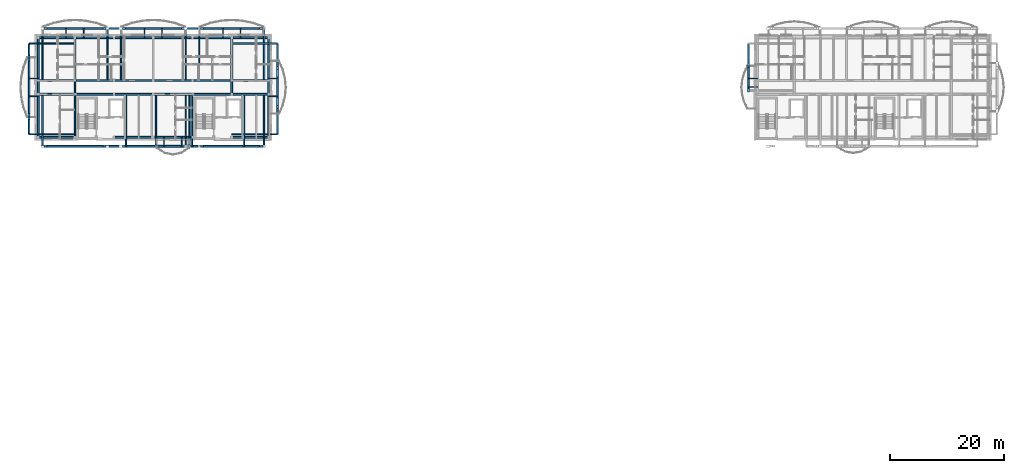
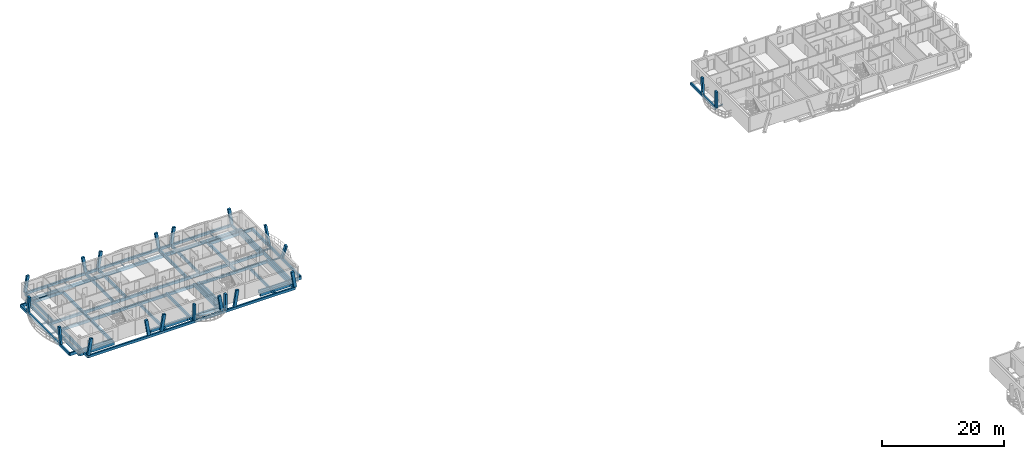
# One storey, part 5 of 41: 70 beams, 20 members.
"""IFC4 building model written with IfcOpenShell, lengths in metres."""

from ifc_helpers import new_model, si_unit, direction, frame, origin, origin_2d, place, context, subcontext, project, spatial, rectangle, i_section, extrude, material, material_profile, profile_set, type_object, element, save


model = new_model("IFC4")

# Units and contexts
model_context = context("Model", 3, precision=1e-05, world=origin(), true_north=direction((0.0, 1.0)))
body_context = subcontext(model_context, "Body", "Model", "MODEL_VIEW")
ifc_project = project(units=[si_unit("LENGTHUNIT", "METRE"), si_unit("AREAUNIT", "SQUARE_METRE"), si_unit("VOLUMEUNIT", "CUBIC_METRE"), si_unit("PLANEANGLEUNIT", "RADIAN"), si_unit("MASSUNIT", "GRAM", prefix="KILO")], contexts=[model_context])

# Site, building, storey
site_placement = place(None, origin())
site = spatial("IfcSite", under=ifc_project, at=site_placement, CompositionType="ELEMENT")
building_placement = place(site_placement, origin())
building = spatial("IfcBuilding", under=site, at=building_placement, Name="Zavelmont Quarter", CompositionType="ELEMENT")
storey_placement = place(building_placement, frame((0.0, 0.0, 27.199951171875)))
storey = spatial("IfcBuildingStorey", under=building, at=storey_placement, Name="L08", CompositionType="ELEMENT", Elevation=27.199951171875)

# Beams
ifc_material_1 = material(Name="Concrete C35/45", Category="concrete")
ifc_material_profile_1 = material_profile(ifc_material_1, rectangle(XDim=0.35009765625, YDim=0.60009765625, at=origin_2d()), Name="RC350X600")
ifc_profile_set_1 = profile_set([ifc_material_profile_1], Name="Concrete C35/45")
beam_type_1 = type_object("IfcBeamType", Name="BM01", PredefinedType="SPANDREL", material=ifc_profile_set_1)
beam_1_placement = place(storey_placement, frame((0.43994140625, 98.0400390625, -0.550048828125), z_axis=(1.0, 0.0, 0.0), x_axis=(0.0, 1.0, 0.0)))
element("IfcBeam", 1, at=beam_1_placement, inside=storey, type_object=beam_type_1, Name="L08 beam BM01 1/P to 2/P", PredefinedType="SPANDREL", context=body_context, shape_type="SweptSolid", body=[
    extrude(rectangle(XDim=0.35009765625, YDim=0.60009765625, at=origin_2d()), origin(), (0.0, 0.0, 1.0), 6.4599609375),
])
beam_2_placement = place(storey_placement, frame((13.800048828125, 98.0400390625, -0.550048828125), z_axis=(1.0, 0.0, 0.0), x_axis=(0.0, 1.0, 0.0)))
element("IfcBeam", 2, at=beam_2_placement, inside=storey, type_object=beam_type_1, Name="L08 beam BM01 3/P to 4/P", PredefinedType="SPANDREL", context=body_context, shape_type="SweptSolid", body=[
    extrude(rectangle(XDim=0.35009765625, YDim=0.60009765625, at=origin_2d()), origin(), (0.0, 0.0, 1.0), 6.89990234375),
])
beam_3_placement = place(storey_placement, frame((20.699951171875, 98.0400390625, -0.550048828125), z_axis=(1.0, 0.0, 0.0), x_axis=(0.0, 1.0, 0.0)))
element("IfcBeam", 3, at=beam_3_placement, inside=storey, type_object=beam_type_1, Name="L08 beam BM01 4/P to 5/P", PredefinedType="SPANDREL", context=body_context, shape_type="SweptSolid", body=[
    extrude(rectangle(XDim=0.35009765625, YDim=0.60009765625, at=origin_2d()), origin(), (0.0, 0.0, 1.0), 6.900146484375),
])
for number, where, z_axis, x_axis, name in (
    (4, (34.5, 98.0400390625, -0.550048828125), (1.0, 0.0, 0.0), (0.0, 1.0, 0.0), "L08 beam BM01 6/P to 7/P"),
    (5, (0.43994140625, 115.56005859375, -0.550048828125), (1.0, 0.0, 0.0), (0.0, 1.0, 0.0), "L08 beam BM01 1/S to 2/S"),
):
    element("IfcBeam", number, at=place(storey_placement, frame(where, z_axis=z_axis, x_axis=x_axis)), inside=storey, type_object=beam_type_1, Name=name, PredefinedType="SPANDREL", context=body_context, shape_type="SweptSolid", body=[
        extrude(rectangle(XDim=0.35009765625, YDim=0.60009765625, at=origin_2d()), origin(), (0.0, 0.0, 1.0), 6.4599609375),
    ])
beam_4_placement = place(storey_placement, frame((6.89990234375, 115.56005859375, -0.550048828125), z_axis=(1.0, 0.0, 0.0), x_axis=(0.0, 1.0, 0.0)))
element("IfcBeam", 6, at=beam_4_placement, inside=storey, type_object=beam_type_1, Name="L08 beam BM01 2/S to 3/S", PredefinedType="SPANDREL", context=body_context, shape_type="SweptSolid", body=[
    extrude(rectangle(XDim=0.35009765625, YDim=0.60009765625, at=origin_2d()), origin(), (0.0, 0.0, 1.0), 6.900146484375),
])
beam_5_placement = place(storey_placement, frame((13.800048828125, 115.56005859375, -0.550048828125), z_axis=(1.0, 0.0, 0.0), x_axis=(0.0, 1.0, 0.0)))
element("IfcBeam", 7, at=beam_5_placement, inside=storey, type_object=beam_type_1, Name="L08 beam BM01 3/S to 4/S", PredefinedType="SPANDREL", context=body_context, shape_type="SweptSolid", body=[
    extrude(rectangle(XDim=0.35009765625, YDim=0.60009765625, at=origin_2d()), origin(), (0.0, 0.0, 1.0), 6.89990234375),
])
beam_6_placement = place(storey_placement, frame((20.699951171875, 115.56005859375, -0.550048828125), z_axis=(1.0, 0.0, 0.0), x_axis=(0.0, 1.0, 0.0)))
element("IfcBeam", 8, at=beam_6_placement, inside=storey, type_object=beam_type_1, Name="L08 beam BM01 4/S to 5/S", PredefinedType="SPANDREL", context=body_context, shape_type="SweptSolid", body=[
    extrude(rectangle(XDim=0.35009765625, YDim=0.60009765625, at=origin_2d()), origin(), (0.0, 0.0, 1.0), 6.900146484375),
])
beam_7_placement = place(storey_placement, frame((27.60009765625, 115.56005859375, -0.550048828125), z_axis=(1.0, 0.0, 0.0), x_axis=(0.0, 1.0, 0.0)))
element("IfcBeam", 9, at=beam_7_placement, inside=storey, type_object=beam_type_1, Name="L08 beam BM01 5/S to 6/S", PredefinedType="SPANDREL", context=body_context, shape_type="SweptSolid", body=[
    extrude(rectangle(XDim=0.35009765625, YDim=0.60009765625, at=origin_2d()), origin(), (0.0, 0.0, 1.0), 6.89990234375),
])
beam_8_placement = place(storey_placement, frame((34.5, 115.56005859375, -0.550048828125), z_axis=(1.0, 0.0, 0.0), x_axis=(0.0, 1.0, 0.0)))
element("IfcBeam", 10, at=beam_8_placement, inside=storey, type_object=beam_type_1, Name="L08 beam BM01 6/S to 7/S", PredefinedType="SPANDREL", context=body_context, shape_type="SweptSolid", body=[
    extrude(rectangle(XDim=0.35009765625, YDim=0.60009765625, at=origin_2d()), origin(), (0.0, 0.0, 1.0), 6.4599609375),
])
ifc_material_profile_2 = material_profile(ifc_material_1, rectangle(XDim=0.300048828125, YDim=0.550048828125, at=origin_2d()), Name="RC300X550")
ifc_profile_set_2 = profile_set([ifc_material_profile_2], Name="Concrete C35/45")
beam_type_2 = type_object("IfcBeamType", Name="BM02", PredefinedType="SPANDREL", material=ifc_profile_set_2)
beam_9_placement = place(storey_placement, frame((0.43994140625, 105.60009765625, -0.52490234375), z_axis=(1.0, 0.0, 0.0), x_axis=(0.0, 1.0, 0.0)))
element("IfcBeam", 11, at=beam_9_placement, inside=storey, type_object=beam_type_2, Name="L08 beam BM02 1/Q to 2/Q", PredefinedType="SPANDREL", context=body_context, shape_type="SweptSolid", body=[
    extrude(rectangle(XDim=0.300048828125, YDim=0.550048828125, at=origin_2d()), origin(), (0.0, 0.0, 1.0), 6.4599609375),
])
beam_10_placement = place(storey_placement, frame((6.89990234375, 105.60009765625, -0.52490234375), z_axis=(1.0, 0.0, 0.0), x_axis=(0.0, 1.0, 0.0)))
element("IfcBeam", 12, at=beam_10_placement, inside=storey, type_object=beam_type_2, Name="L08 beam BM02 2/Q to 3/Q", PredefinedType="SPANDREL", context=body_context, shape_type="SweptSolid", body=[
    extrude(rectangle(XDim=0.300048828125, YDim=0.550048828125, at=origin_2d()), origin(), (0.0, 0.0, 1.0), 6.900146484375),
])
beam_11_placement = place(storey_placement, frame((13.800048828125, 105.60009765625, -0.52490234375), z_axis=(1.0, 0.0, 0.0), x_axis=(0.0, 1.0, 0.0)))
element("IfcBeam", 13, at=beam_11_placement, inside=storey, type_object=beam_type_2, Name="L08 beam BM02 3/Q to 4/Q", PredefinedType="SPANDREL", context=body_context, shape_type="SweptSolid", body=[
    extrude(rectangle(XDim=0.300048828125, YDim=0.550048828125, at=origin_2d()), origin(), (0.0, 0.0, 1.0), 6.89990234375),
])
beam_12_placement = place(storey_placement, frame((20.699951171875, 105.60009765625, -0.52490234375), z_axis=(1.0, 0.0, 0.0), x_axis=(0.0, 1.0, 0.0)))
element("IfcBeam", 14, at=beam_12_placement, inside=storey, type_object=beam_type_2, Name="L08 beam BM02 4/Q to 5/Q", PredefinedType="SPANDREL", context=body_context, shape_type="SweptSolid", body=[
    extrude(rectangle(XDim=0.300048828125, YDim=0.550048828125, at=origin_2d()), origin(), (0.0, 0.0, 1.0), 6.900146484375),
])
beam_13_placement = place(storey_placement, frame((27.60009765625, 105.60009765625, -0.52490234375), z_axis=(1.0, 0.0, 0.0), x_axis=(0.0, 1.0, 0.0)))
element("IfcBeam", 15, at=beam_13_placement, inside=storey, type_object=beam_type_2, Name="L08 beam BM02 5/Q to 6/Q", PredefinedType="SPANDREL", context=body_context, shape_type="SweptSolid", body=[
    extrude(rectangle(XDim=0.300048828125, YDim=0.550048828125, at=origin_2d()), origin(), (0.0, 0.0, 1.0), 6.89990234375),
])
for number, where, z_axis, x_axis, name in (
    (16, (34.5, 105.60009765625, -0.52490234375), (1.0, 0.0, 0.0), (0.0, 1.0, 0.0), "L08 beam BM02 6/Q to 7/Q"),
    (17, (0.43994140625, 108.0, -0.52490234375), (1.0, 0.0, 0.0), (0.0, 1.0, 0.0), "L08 beam BM02 1/R to 2/R"),
):
    element("IfcBeam", number, at=place(storey_placement, frame(where, z_axis=z_axis, x_axis=x_axis)), inside=storey, type_object=beam_type_2, Name=name, PredefinedType="SPANDREL", context=body_context, shape_type="SweptSolid", body=[
        extrude(rectangle(XDim=0.300048828125, YDim=0.550048828125, at=origin_2d()), origin(), (0.0, 0.0, 1.0), 6.4599609375),
    ])
beam_14_placement = place(storey_placement, frame((6.89990234375, 108.0, -0.52490234375), z_axis=(1.0, 0.0, 0.0), x_axis=(0.0, 1.0, 0.0)))
element("IfcBeam", 18, at=beam_14_placement, inside=storey, type_object=beam_type_2, Name="L08 beam BM02 2/R to 3/R", PredefinedType="SPANDREL", context=body_context, shape_type="SweptSolid", body=[
    extrude(rectangle(XDim=0.300048828125, YDim=0.550048828125, at=origin_2d()), origin(), (0.0, 0.0, 1.0), 6.900146484375),
])
beam_15_placement = place(storey_placement, frame((13.800048828125, 108.0, -0.52490234375), z_axis=(1.0, 0.0, 0.0), x_axis=(0.0, 1.0, 0.0)))
element("IfcBeam", 19, at=beam_15_placement, inside=storey, type_object=beam_type_2, Name="L08 beam BM02 3/R to 4/R", PredefinedType="SPANDREL", context=body_context, shape_type="SweptSolid", body=[
    extrude(rectangle(XDim=0.300048828125, YDim=0.550048828125, at=origin_2d()), origin(), (0.0, 0.0, 1.0), 6.89990234375),
])
beam_16_placement = place(storey_placement, frame((20.699951171875, 108.0, -0.52490234375), z_axis=(1.0, 0.0, 0.0), x_axis=(0.0, 1.0, 0.0)))
element("IfcBeam", 20, at=beam_16_placement, inside=storey, type_object=beam_type_2, Name="L08 beam BM02 4/R to 5/R", PredefinedType="SPANDREL", context=body_context, shape_type="SweptSolid", body=[
    extrude(rectangle(XDim=0.300048828125, YDim=0.550048828125, at=origin_2d()), origin(), (0.0, 0.0, 1.0), 6.900146484375),
])
beam_17_placement = place(storey_placement, frame((27.60009765625, 108.0, -0.52490234375), z_axis=(1.0, 0.0, 0.0), x_axis=(0.0, 1.0, 0.0)))
element("IfcBeam", 21, at=beam_17_placement, inside=storey, type_object=beam_type_2, Name="L08 beam BM02 5/R to 6/R", PredefinedType="SPANDREL", context=body_context, shape_type="SweptSolid", body=[
    extrude(rectangle(XDim=0.300048828125, YDim=0.550048828125, at=origin_2d()), origin(), (0.0, 0.0, 1.0), 6.89990234375),
])
beam_18_placement = place(storey_placement, frame((34.5, 108.0, -0.52490234375), z_axis=(1.0, 0.0, 0.0), x_axis=(0.0, 1.0, 0.0)))
element("IfcBeam", 22, at=beam_18_placement, inside=storey, type_object=beam_type_2, Name="L08 beam BM02 6/R to 7/R", PredefinedType="SPANDREL", context=body_context, shape_type="SweptSolid", body=[
    extrude(rectangle(XDim=0.300048828125, YDim=0.550048828125, at=origin_2d()), origin(), (0.0, 0.0, 1.0), 6.4599609375),
])
beam_19_placement = place(storey_placement, frame((0.43994140625, 98.0400390625, -0.52490234375), z_axis=(0.0, 1.0, 0.0), x_axis=(-1.0, 0.0, 0.0)))
element("IfcBeam", 23, at=beam_19_placement, inside=storey, type_object=beam_type_2, Name="L08 beam BM02 1/P to 1/Q", PredefinedType="SPANDREL", context=body_context, shape_type="SweptSolid", body=[
    extrude(rectangle(XDim=0.300048828125, YDim=0.550048828125, at=origin_2d()), origin(), (0.0, 0.0, 1.0), 7.56005859375),
])
beam_20_placement = place(storey_placement, frame((0.43994140625, 105.60009765625, -0.52490234375), z_axis=(0.0, 1.0, 0.0), x_axis=(-1.0, 0.0, 0.0)))
element("IfcBeam", 24, at=beam_20_placement, inside=storey, type_object=beam_type_2, Name="L08 beam BM02 1/Q to 1/R", PredefinedType="SPANDREL", context=body_context, shape_type="SweptSolid", body=[
    extrude(rectangle(XDim=0.300048828125, YDim=0.550048828125, at=origin_2d()), origin(), (0.0, 0.0, 1.0), 2.39990234375),
])
for number, where, z_axis, x_axis, name in (
    (25, (0.43994140625, 108.0, -0.52490234375), (0.0, 1.0, 0.0), (-1.0, 0.0, 0.0), "L08 beam BM02 1/R to 1/S"),
    (26, (6.89990234375, 98.0400390625, -0.52490234375), (0.0, 1.0, 0.0), (-1.0, 0.0, 0.0), "L08 beam BM02 2/P to 2/Q"),
):
    element("IfcBeam", number, at=place(storey_placement, frame(where, z_axis=z_axis, x_axis=x_axis)), inside=storey, type_object=beam_type_2, Name=name, PredefinedType="SPANDREL", context=body_context, shape_type="SweptSolid", body=[
        extrude(rectangle(XDim=0.300048828125, YDim=0.550048828125, at=origin_2d()), origin(), (0.0, 0.0, 1.0), 7.56005859375),
    ])
beam_21_placement = place(storey_placement, frame((6.89990234375, 105.60009765625, -0.52490234375), z_axis=(0.0, 1.0, 0.0), x_axis=(-1.0, 0.0, 0.0)))
element("IfcBeam", 27, at=beam_21_placement, inside=storey, type_object=beam_type_2, Name="L08 beam BM02 2/Q to 2/R", PredefinedType="SPANDREL", context=body_context, shape_type="SweptSolid", body=[
    extrude(rectangle(XDim=0.300048828125, YDim=0.550048828125, at=origin_2d()), origin(), (0.0, 0.0, 1.0), 2.39990234375),
])
beam_22_placement = place(storey_placement, frame((6.89990234375, 108.0, -0.52490234375), z_axis=(0.0, 1.0, 0.0), x_axis=(-1.0, 0.0, 0.0)))
element("IfcBeam", 28, at=beam_22_placement, inside=storey, type_object=beam_type_2, Name="L08 beam BM02 2/R to 2/S", PredefinedType="SPANDREL", context=body_context, shape_type="SweptSolid", body=[
    extrude(rectangle(XDim=0.300048828125, YDim=0.550048828125, at=origin_2d()), origin(), (0.0, 0.0, 1.0), 7.56005859375),
])
beam_23_placement = place(storey_placement, frame((34.5, 105.60009765625, -0.52490234375), z_axis=(0.0, 1.0, 0.0), x_axis=(-1.0, 0.0, 0.0)))
element("IfcBeam", 29, at=beam_23_placement, inside=storey, type_object=beam_type_2, Name="L08 beam BM02 6/Q to 6/R", PredefinedType="SPANDREL", context=body_context, shape_type="SweptSolid", body=[
    extrude(rectangle(XDim=0.300048828125, YDim=0.550048828125, at=origin_2d()), origin(), (0.0, 0.0, 1.0), 2.39990234375),
])
for number, where, z_axis, x_axis, name in (
    (30, (34.5, 108.0, -0.52490234375), (0.0, 1.0, 0.0), (-1.0, 0.0, 0.0), "L08 beam BM02 6/R to 6/S"),
    (31, (40.9599609375, 98.0400390625, -0.52490234375), (0.0, 1.0, 0.0), (-1.0, 0.0, 0.0), "L08 beam BM02 7/P to 7/Q"),
):
    element("IfcBeam", number, at=place(storey_placement, frame(where, z_axis=z_axis, x_axis=x_axis)), inside=storey, type_object=beam_type_2, Name=name, PredefinedType="SPANDREL", context=body_context, shape_type="SweptSolid", body=[
        extrude(rectangle(XDim=0.300048828125, YDim=0.550048828125, at=origin_2d()), origin(), (0.0, 0.0, 1.0), 7.56005859375),
    ])
beam_24_placement = place(storey_placement, frame((40.9599609375, 105.60009765625, -0.52490234375), z_axis=(0.0, 1.0, 0.0), x_axis=(-1.0, 0.0, 0.0)))
element("IfcBeam", 32, at=beam_24_placement, inside=storey, type_object=beam_type_2, Name="L08 beam BM02 7/Q to 7/R", PredefinedType="SPANDREL", context=body_context, shape_type="SweptSolid", body=[
    extrude(rectangle(XDim=0.300048828125, YDim=0.550048828125, at=origin_2d()), origin(), (0.0, 0.0, 1.0), 2.39990234375),
])
beam_25_placement = place(storey_placement, frame((40.9599609375, 108.0, -0.52490234375), z_axis=(0.0, 1.0, 0.0), x_axis=(-1.0, 0.0, 0.0)))
element("IfcBeam", 33, at=beam_25_placement, inside=storey, type_object=beam_type_2, Name="L08 beam BM02 7/R to 7/S", PredefinedType="SPANDREL", context=body_context, shape_type="SweptSolid", body=[
    extrude(rectangle(XDim=0.300048828125, YDim=0.550048828125, at=origin_2d()), origin(), (0.0, 0.0, 1.0), 7.56005859375),
])
ifc_material_profile_3 = material_profile(ifc_material_1, rectangle(XDim=0.300048828125, YDim=0.5, at=origin_2d()), Name="RC300X500")
ifc_profile_set_3 = profile_set([ifc_material_profile_3], Name="Concrete C35/45")
beam_type_3 = type_object("IfcBeamType", Name="BM03", PredefinedType="BEAM", material=ifc_profile_set_3)
for number, where, z_axis, x_axis, name in (
    (34, (1.18994140625, 117.14990234375, -0.25), (1.0, 0.0, 0.0), (0.0, 1.0, 0.0), "L08 beam BM03 1/S to 7/S"),
    (35, (1.18994140625, 96.449951171875, -0.25), (1.0, 0.0, 0.0), (0.0, 1.0, 0.0), "L08 beam BM03 1/P to 7/P"),
):
    element("IfcBeam", number, at=place(storey_placement, frame(where, z_axis=z_axis, x_axis=x_axis)), inside=storey, type_object=beam_type_3, Name=name, PredefinedType="BEAM", context=body_context, shape_type="SweptSolid", body=[
        extrude(rectangle(XDim=0.300048828125, YDim=0.5, at=origin_2d()), origin(), (0.0, 0.0, 1.0), 39.02001953125),
    ])
for number, where, z_axis, x_axis, name in (
    (36, (-1.14990234375, 98.550048828125, -0.25), (0.0, 1.0, 0.0), (-1.0, 0.0, 0.0), "L08 beam BM03 1/P to 1/S"),
    (37, (42.550048828125, 98.550048828125, -0.25), (0.0, 1.0, 0.0), (-1.0, 0.0, 0.0), "L08 beam BM03 7/P to 7/S"),
):
    element("IfcBeam", number, at=place(storey_placement, frame(where, z_axis=z_axis, x_axis=x_axis)), inside=storey, type_object=beam_type_3, Name=name, PredefinedType="BEAM", context=body_context, shape_type="SweptSolid", body=[
        extrude(rectangle(XDim=0.300048828125, YDim=0.5, at=origin_2d()), origin(), (0.0, 0.0, 1.0), 15.949951171875),
    ])
beam_26_placement = place(storey_placement, frame((125.449951171875, 106.25, -0.25), z_axis=(0.0, 1.0, 0.0), x_axis=(-1.0, 0.0, 0.0)))
element("IfcBeam", 38, at=beam_26_placement, inside=storey, type_object=beam_type_3, Name="L08 beam BM03 19/Q to 19/S", PredefinedType="BEAM", context=body_context, shape_type="SweptSolid", body=[
    extrude(rectangle(XDim=0.300048828125, YDim=0.5, at=origin_2d()), origin(), (0.0, 0.0, 1.0), 8.25),
])
ifc_material_2 = material(Name="Steel S355", Category="steel")
ifc_material_profile_4 = material_profile(ifc_material_2, i_section(OverallWidth=0.110107421875, OverallDepth=0.219970703125, WebThickness=0.005859375, FlangeThickness=0.00927734375, at=origin_2d()), Name="IPE 220")
ifc_profile_set_4 = profile_set([ifc_material_profile_4], Name="Steel S355")
beam_type_4 = type_object("IfcBeamType", Name="BM15", PredefinedType="JOIST", material=ifc_profile_set_4)
for number, where, z_axis, x_axis, name in (
    (39, (5.35009765625, 115.56005859375, -0.366943359375), (0.0, 1.0, 0.0), (-1.0, 0.0, 0.0), "L08 beam BM15 2/S to 2/S"),
    (40, (8.449951171875, 115.56005859375, -0.366943359375), (0.0, 1.0, 0.0), (-1.0, 0.0, 0.0), "L08 beam BM15 2/S to 2/S"),
    (41, (19.14990234375, 115.56005859375, -0.362060546875), (0.0, 1.0, 0.0), (-1.0, 0.0, 0.0), "L08 beam BM15 4/S to 4/S"),
    (42, (22.25, 115.56005859375, -0.362060546875), (0.0, 1.0, 0.0), (-1.0, 0.0, 0.0), "L08 beam BM15 4/S to 4/S"),
    (43, (32.949951171875, 115.56005859375, -0.362060546875), (0.0, 1.0, 0.0), (-1.0, 0.0, 0.0), "L08 beam BM15 6/S to 6/S"),
    (44, (36.050048828125, 115.56005859375, -0.362060546875), (0.0, 1.0, 0.0), (-1.0, 0.0, 0.0), "L08 beam BM15 6/S to 6/S"),
    (45, (0.43994140625, 105.25, -0.362060546875), (-1.0, 0.0, 0.0), (0.0, -1.0, 0.0), "L08 beam BM15 1/Q to 1/Q"),
    (46, (0.43994140625, 108.35009765625, -0.362060546875), (-1.0, 0.0, 0.0), (0.0, -1.0, 0.0), "L08 beam BM15 1/R to 1/R"),
):
    element("IfcBeam", number, at=place(storey_placement, frame(where, z_axis=z_axis, x_axis=x_axis)), inside=storey, type_object=beam_type_4, Name=name, PredefinedType="JOIST", context=body_context, shape_type="SweptSolid", body=[
        extrude(i_section(OverallWidth=0.110107421875, OverallDepth=0.219970703125, WebThickness=0.005859375, FlangeThickness=0.00927734375, at=origin_2d()), origin(), (0.0, 0.0, 1.0), 1.58984375),
    ])
for number, where, z_axis, x_axis, name in (
    (47, (40.9599609375, 105.25, -0.362060546875), (1.0, 0.0, 0.0), (0.0, 1.0, 0.0), "L08 beam BM15 7/Q to 7/Q"),
    (48, (40.9599609375, 108.35009765625, -0.362060546875), (1.0, 0.0, 0.0), (0.0, 1.0, 0.0), "L08 beam BM15 7/R to 7/R"),
    (49, (22.60009765625, 98.0400390625, -0.366943359375), (0.0, -1.0, 0.0), (1.0, 0.0, 0.0), "L08 beam BM15 4/P to 4/P"),
    (50, (25.699951171875, 98.0400390625, -0.366943359375), (0.0, -1.0, 0.0), (1.0, 0.0, 0.0), "L08 beam BM15 5/P to 5/P"),
    (51, (127.0400390625, 106.89990234375, -0.362060546875), (-1.0, 0.0, 0.0), (0.0, -1.0, 0.0), "L08 beam BM15 19/R to 19/R"),
    (52, (127.0400390625, 108.35009765625, -0.362060546875), (-1.0, 0.0, 0.0), (0.0, -1.0, 0.0), "L08 beam BM15 19/R to 19/R"),
):
    element("IfcBeam", number, at=place(storey_placement, frame(where, z_axis=z_axis, x_axis=x_axis)), inside=storey, type_object=beam_type_4, Name=name, PredefinedType="JOIST", context=body_context, shape_type="SweptSolid", body=[
        extrude(i_section(OverallWidth=0.110107421875, OverallDepth=0.219970703125, WebThickness=0.005859375, FlangeThickness=0.00927734375, at=origin_2d()), origin(), (0.0, 0.0, 1.0), 1.590087890625),
    ])
ifc_material_3 = material(Name="Concrete C40/50", Category="concrete")
ifc_material_profile_5 = material_profile(ifc_material_3, rectangle(XDim=0.25, YDim=0.60009765625, at=origin_2d()), Name="RC250X600")
ifc_profile_set_5 = profile_set([ifc_material_profile_5], Name="Concrete C40/50")
beam_type_5 = type_object("IfcBeamType", Name="BM18", PredefinedType="BEAM", material=ifc_profile_set_5)
for number, where, z_axis, x_axis, name in (
    (53, (1.190185546875, 108.0, -0.300048828125), (0.0, 1.0, 0.0), (-1.0, 0.0, 0.0), "L08 beam BM18 1/R to 1/S"),
    (54, (12.609619140625, 108.0, -0.300048828125), (0.0, 1.0, 0.0), (-1.0, 0.0, 0.0), "L08 beam BM18 3/R to 3/S"),
    (55, (14.990234375, 108.0, -0.300048828125), (0.0, 1.0, 0.0), (-1.0, 0.0, 0.0), "L08 beam BM18 3/R to 3/S"),
    (56, (26.40966796875, 108.0, -0.300048828125), (0.0, 1.0, 0.0), (-1.0, 0.0, 0.0), "L08 beam BM18 5/R to 5/S"),
    (57, (28.790283203125, 108.0, -0.300048828125), (0.0, 1.0, 0.0), (-1.0, 0.0, 0.0), "L08 beam BM18 5/R to 5/S"),
    (58, (40.209716796875, 108.0, -0.300048828125), (0.0, 1.0, 0.0), (-1.0, 0.0, 0.0), "L08 beam BM18 7/R to 7/S"),
):
    element("IfcBeam", number, at=place(storey_placement, frame(where, z_axis=z_axis, x_axis=x_axis)), inside=storey, type_object=beam_type_5, Name=name, PredefinedType="BEAM", context=body_context, shape_type="SweptSolid", body=[
        extrude(rectangle(XDim=0.25, YDim=0.60009765625, at=origin_2d()), origin(), (0.0, 0.0, 1.0), 9.14990234375),
    ])
for number, where, z_axis, x_axis, name in (
    (59, (1.190185546875, 105.60009765625, -0.300048828125), (0.0, -1.0, 0.0), (1.0, 0.0, 0.0), "L08 beam BM18 1/Q to 1/P"),
    (60, (15.925048828125, 105.60009765625, -0.300048828125), (0.0, -1.0, 0.0), (1.0, 0.0, 0.0), "L08 beam BM18 3/Q to 3/P"),
    (61, (26.40966796875, 105.60009765625, -0.300048828125), (0.0, -1.0, 0.0), (1.0, 0.0, 0.0), "L08 beam BM18 5/Q to 5/P"),
    (62, (27.5, 105.60009765625, -0.300048828125), (0.0, -1.0, 0.0), (1.0, 0.0, 0.0), "L08 beam BM18 5/Q to 5/P"),
    (63, (36.625, 105.60009765625, -0.300048828125), (0.0, -1.0, 0.0), (1.0, 0.0, 0.0), "L08 beam BM18 6/Q to 6/P"),
    (64, (40.209716796875, 105.60009765625, -0.300048828125), (0.0, -1.0, 0.0), (1.0, 0.0, 0.0), "L08 beam BM18 7/Q to 7/P"),
    (65, (21.199951171875, 105.60009765625, -0.300048828125), (0.0, -1.0, 0.0), (1.0, 0.0, 0.0), "L08 beam BM18 4/Q to 4/P"),
    (66, (27.10009765625, 105.60009765625, -0.300048828125), (0.0, -1.0, 0.0), (1.0, 0.0, 0.0), "L08 beam BM18 5/Q to 5/P"),
):
    element("IfcBeam", number, at=place(storey_placement, frame(where, z_axis=z_axis, x_axis=x_axis)), inside=storey, type_object=beam_type_5, Name=name, PredefinedType="BEAM", context=body_context, shape_type="SweptSolid", body=[
        extrude(rectangle(XDim=0.25, YDim=0.60009765625, at=origin_2d()), origin(), (0.0, 0.0, 1.0), 9.150146484375),
    ])
for number, where, z_axis, x_axis, name in (
    (67, (6.89990234375, 98.550048828125, -0.300048828125), (-1.0, 0.0, 0.0), (0.0, -1.0, 0.0), "L08 beam BM18 2/P to 1/P"),
    (68, (6.89990234375, 114.5, -0.300048828125), (-1.0, 0.0, 0.0), (0.0, -1.0, 0.0), "L08 beam BM18 2/S to 1/S"),
):
    element("IfcBeam", number, at=place(storey_placement, frame(where, z_axis=z_axis, x_axis=x_axis)), inside=storey, type_object=beam_type_5, Name=name, PredefinedType="BEAM", context=body_context, shape_type="SweptSolid", body=[
        extrude(rectangle(XDim=0.25, YDim=0.60009765625, at=origin_2d()), origin(), (0.0, 0.0, 1.0), 8.0498046875),
    ])
for number, where, z_axis, x_axis, name in (
    (69, (34.5, 98.550048828125, -0.300048828125), (1.0, 0.0, 0.0), (0.0, 1.0, 0.0), "L08 beam BM18 6/P to 7/P"),
    (70, (34.5, 114.5, -0.300048828125), (1.0, 0.0, 0.0), (0.0, 1.0, 0.0), "L08 beam BM18 6/S to 7/S"),
):
    element("IfcBeam", number, at=place(storey_placement, frame(where, z_axis=z_axis, x_axis=x_axis)), inside=storey, type_object=beam_type_5, Name=name, PredefinedType="BEAM", context=body_context, shape_type="SweptSolid", body=[
        extrude(rectangle(XDim=0.25, YDim=0.60009765625, at=origin_2d()), origin(), (0.0, 0.0, 1.0), 8.050048828125),
    ])

# Members
ifc_material_4 = material(Name="White architectural precast concrete C40/50", Category="concrete")
ifc_material_profile_6 = material_profile(ifc_material_4, rectangle(XDim=0.360107421875, YDim=0.5400390625, at=origin_2d()), Name="PCR280X420")
ifc_profile_set_6 = profile_set([ifc_material_profile_6], Name="White architectural precast concrete C40/50")
member_type = type_object("IfcMemberType", Name="VR02M", PredefinedType="CHORD", material=ifc_profile_set_6)
for number, where, z_axis, x_axis, name in (
    (71, (1.190185546875, 117.14990234375, 0.0), (0.15849581905, 0.0, 0.987359648428), (0.0, 1.0, 0.0), "L08 member VR02M 1/S to 1/S"),
    (72, (12.609619140625, 117.14990234375, 0.0), (-0.1584223794, 0.0, 0.98737143452), (0.0, -1.0, 0.0), "L08 member VR02M 3/S to 3/S"),
    (73, (14.990234375, 117.14990234375, 0.0), (0.15849581905, 0.0, 0.987359648428), (0.0, 1.0, 0.0), "L08 member VR02M 3/S to 3/S"),
    (74, (26.40966796875, 117.14990234375, 0.0), (-0.1584223794, 0.0, 0.98737143452), (0.0, -1.0, 0.0), "L08 member VR02M 5/S to 5/S"),
    (75, (28.790283203125, 117.14990234375, 0.0), (0.1584223794, 0.0, 0.98737143452), (0.0, 1.0, 0.0), "L08 member VR02M 5/S to 5/S"),
    (76, (40.209716796875, 117.14990234375, 0.0), (-0.1584223794, 0.0, 0.98737143452), (0.0, -1.0, 0.0), "L08 member VR02M 7/S to 7/S"),
    (77, (1.190185546875, 96.449951171875, 0.0), (0.15849581905, 0.0, 0.987359648428), (0.0, 1.0, 0.0), "L08 member VR02M 1/P to 1/P"),
    (78, (12.609619140625, 96.449951171875, 0.0), (-0.1584223794, 0.0, 0.98737143452), (0.0, -1.0, 0.0), "L08 member VR02M 3/P to 3/P"),
    (79, (14.990234375, 96.449951171875, 0.0), (0.15849581905, 0.0, 0.987359648428), (0.0, 1.0, 0.0), "L08 member VR02M 3/P to 3/P"),
    (80, (26.40966796875, 96.449951171875, 0.0), (-0.1584223794, 0.0, 0.98737143452), (0.0, -1.0, 0.0), "L08 member VR02M 5/P to 5/P"),
    (81, (28.790283203125, 96.449951171875, 0.0), (0.1584223794, 0.0, 0.98737143452), (0.0, 1.0, 0.0), "L08 member VR02M 5/P to 5/P"),
    (82, (40.209716796875, 96.449951171875, 0.0), (-0.1584223794, 0.0, 0.98737143452), (0.0, -1.0, 0.0), "L08 member VR02M 7/P to 7/P"),
):
    element("IfcMember", number, at=place(storey_placement, frame(where, z_axis=z_axis, x_axis=x_axis)), inside=storey, type_object=member_type, Name=name, PredefinedType="CHORD", context=body_context, shape_type="SweptSolid", body=[
        extrude(rectangle(XDim=0.360107421875, YDim=0.5400390625, at=origin_2d()), origin(), (0.0, 0.0, 1.0), 3.240966796875),
    ])
for number, where, z_axis, x_axis, name in (
    (83, (21.199951171875, 96.449951171875, 0.0), (0.0, 0.0, 1.0), (1.0, 0.0, 0.0), "L08 member VR02M 4/P to 4/P"),
    (84, (27.10009765625, 96.449951171875, 0.0), (0.0, 0.0, 1.0), (1.0, 0.0, 0.0), "L08 member VR02M 5/P to 5/P"),
):
    element("IfcMember", number, at=place(storey_placement, frame(where, z_axis=z_axis, x_axis=x_axis)), inside=storey, type_object=member_type, Name=name, PredefinedType="CHORD", context=body_context, shape_type="SweptSolid", body=[
        extrude(rectangle(XDim=0.360107421875, YDim=0.5400390625, at=origin_2d()), origin(), (0.0, 0.0, 1.0), 3.199951171875),
    ])
for number, where, z_axis, x_axis, name in (
    (85, (-1.14990234375, 101.447021484375, 0.0), (0.0, 0.138945730855, 0.990299996909), (-1.0, 0.0, 0.0), "L08 member VR02M 1/P to 1/Q"),
    (86, (-1.14990234375, 112.15283203125, 0.0), (0.0, -0.138871633301, 0.990310390466), (1.0, 0.0, 0.0), "L08 member VR02M 1/S to 1/R"),
):
    element("IfcMember", number, at=place(storey_placement, frame(where, z_axis=z_axis, x_axis=x_axis)), inside=storey, type_object=member_type, Name=name, PredefinedType="CHORD", context=body_context, shape_type="SweptSolid", body=[
        extrude(rectangle(XDim=0.360107421875, YDim=0.5400390625, at=origin_2d()), origin(), (0.0, 0.0, 1.0), 3.231201171875),
    ])
for number, where, z_axis, x_axis, name in (
    (87, (42.550048828125, 104.682861328125, 0.0), (0.0, -0.371463953812, 0.928447376548), (1.0, 0.0, 0.0), "L08 member VR02M 7/Q to 7/Q"),
    (88, (42.550048828125, 108.917236328125, 0.0), (0.0, 0.371402889746, 0.928471805435), (-1.0, 0.0, 0.0), "L08 member VR02M 7/R to 7/R"),
):
    element("IfcMember", number, at=place(storey_placement, frame(where, z_axis=z_axis, x_axis=x_axis)), inside=storey, type_object=member_type, Name=name, PredefinedType="CHORD", context=body_context, shape_type="SweptSolid", body=[
        extrude(rectangle(XDim=0.360107421875, YDim=0.5400390625, at=origin_2d()), origin(), (0.0, 0.0, 1.0), 3.446533203125),
    ])
member_1_placement = place(storey_placement, frame((125.449951171875, 106.300048828125, 0.0), z_axis=(0.0, 0.0, 1.0), x_axis=(1.0, 0.0, 0.0)))
element("IfcMember", 89, at=member_1_placement, inside=storey, type_object=member_type, Name="L08 member VR02M 19/Q to 19/Q", PredefinedType="CHORD", context=body_context, shape_type="SweptSolid", body=[
    extrude(rectangle(XDim=0.360107421875, YDim=0.5400390625, at=origin_2d()), origin(), (0.0, 0.0, 1.0), 3.199951171875),
])
member_2_placement = place(storey_placement, frame((125.449951171875, 110.59130859375, 0.0), z_axis=(0.0, 0.081742768729, 0.996653460216), x_axis=(-1.0, 0.0, 0.0)))
element("IfcMember", 90, at=member_2_placement, inside=storey, type_object=member_type, Name="L08 member VR02M 19/R to 19/R", PredefinedType="CHORD", context=body_context, shape_type="SweptSolid", body=[
    extrude(rectangle(XDim=0.360107421875, YDim=0.5400390625, at=origin_2d()), origin(), (0.0, 0.0, 1.0), 3.210693359375),
])

save(model, "model.ifc")
